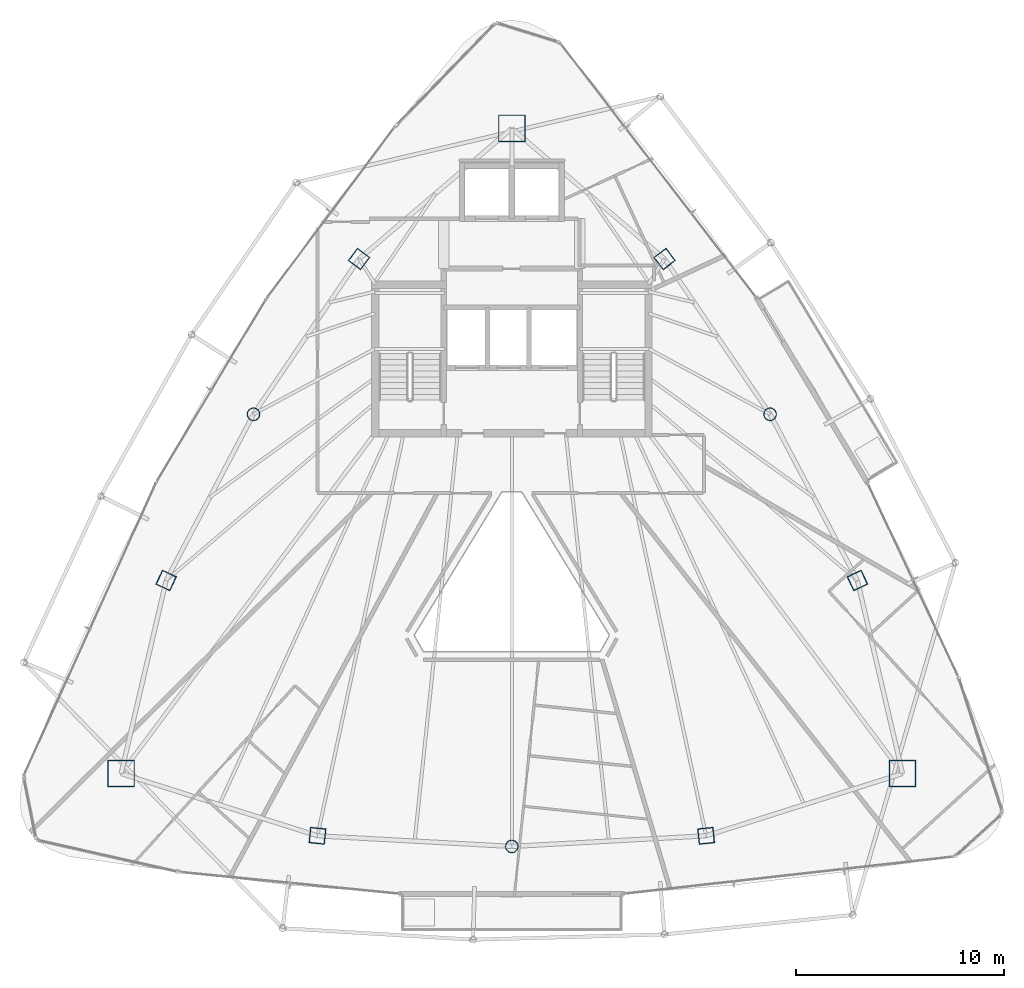
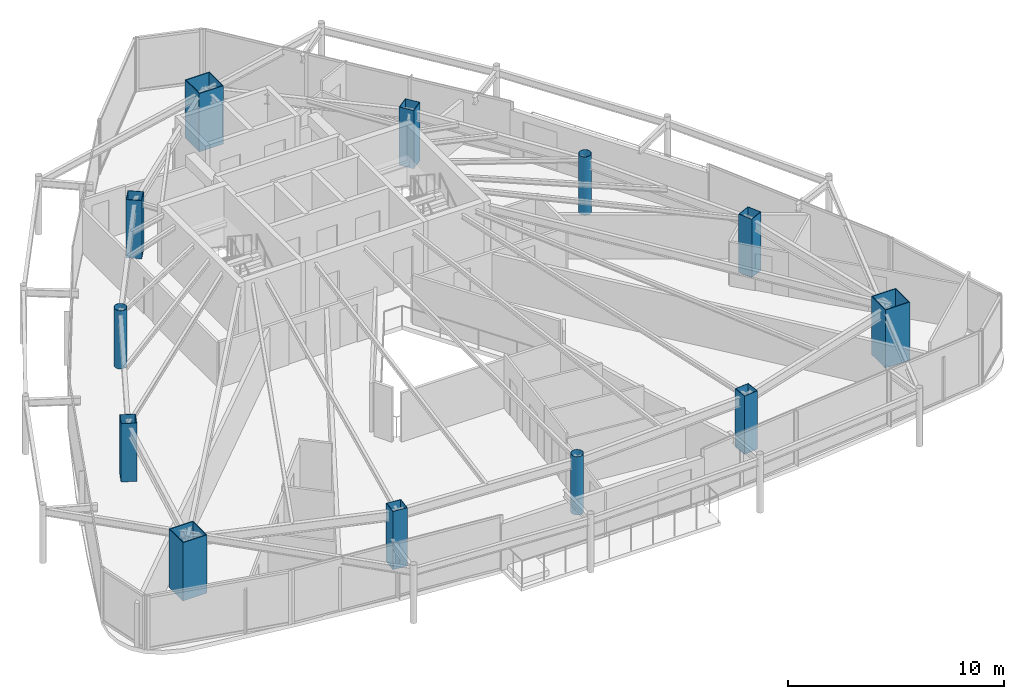
# One storey, part 1 of 34: 12 columns.
"""IFC4 building model written with IfcOpenShell, lengths in metres."""

from ifc_helpers import new_model, si_unit, direction, frame, origin, origin_2d, place, context, subcontext, project, spatial, hollow_rectangle, hollow_circle, extrude, material, material_profile, profile_set, type_object, element, save


model = new_model("IFC4")

# Units and contexts
model_context = context("Model", 3, precision=1e-05, world=origin(), true_north=direction((0.0, 1.0)))
body_context = subcontext(model_context, "Body", "Model", "MODEL_VIEW")
ifc_project = project(units=[si_unit("LENGTHUNIT", "METRE"), si_unit("AREAUNIT", "SQUARE_METRE"), si_unit("VOLUMEUNIT", "CUBIC_METRE"), si_unit("PLANEANGLEUNIT", "RADIAN"), si_unit("MASSUNIT", "GRAM", prefix="KILO")], contexts=[model_context])

# Site, building, storey
site_placement = place(None, origin())
site = spatial("IfcSite", under=ifc_project, at=site_placement, CompositionType="ELEMENT")
building_placement = place(site_placement, origin())
building = spatial("IfcBuilding", under=site, at=building_placement, Name="Orvanel Arch Residences", CompositionType="ELEMENT")
storey_placement = place(building_placement, frame((0.0, 0.0, 199.699951171875)))
storey = spatial("IfcBuildingStorey", under=building, at=storey_placement, Name="L56", CompositionType="ELEMENT", Elevation=199.699951171875)

# Columns
ifc_material_1 = material(Name="Structural steel AS/NZS 1163 C350L0 (Grade 350)", Category="steel")
ifc_material_profile_1 = material_profile(ifc_material_1, hollow_circle(Radius=0.304931640625, WallThickness=0.01611328125, at=origin_2d()), Name="CHS610x16")
ifc_profile_set_1 = profile_set([ifc_material_profile_1], Name="Structural steel AS/NZS 1163 C350L0 (Grade 350)")
column_type_1 = type_object("IfcColumnType", Name="CC-610", PredefinedType="COLUMN", material=ifc_profile_set_1)
for number, where, z_axis, x_axis, name in (
    (1, (20.569091796875, 27.64111328125, 0.0), (0.0, 0.0, 1.0), (1.0, 0.0, 0.0), "L56 High-Rise Tube Column 02"),
    (2, (33.0, 6.843994140625, 0.0), (0.0, 0.0, 1.0), (1.0, 0.0, 0.0), "L56 High-Rise Tube Column 05"),
    (3, (45.430908203125, 27.64111328125, 0.0), (0.0, 0.0, 1.0), (1.0, 0.0, 0.0), "L56 High-Rise Tube Column 08"),
):
    element("IfcColumn", number, at=place(storey_placement, frame(where, z_axis=z_axis, x_axis=x_axis)), inside=storey, type_object=column_type_1, Name=name, PredefinedType="COLUMN", context=body_context, shape_type="SweptSolid", body=[
        extrude(hollow_circle(Radius=0.304931640625, WallThickness=0.01611328125, at=origin_2d()), origin(), (0.0, 0.0, 1.0), 3.300048828125),
    ])
ifc_material_2 = material(Name="Structural steel AS/NZS 3678 Grade 450", Category="steel")
ifc_material_profile_2 = material_profile(ifc_material_2, hollow_rectangle(XDim=1.300048828125, YDim=1.300048828125, WallThickness=0.0400390625, at=origin_2d()), Name="BOX1300x1300x40")
ifc_profile_set_2 = profile_set([ifc_material_profile_2], Name="Structural steel AS/NZS 3678 Grade 450")
column_type_2 = type_object("IfcColumnType", Name="MC-1300", PredefinedType="COLUMN", material=ifc_profile_set_2)
for number, where, z_axis, x_axis, name in (
    (4, (33.0, 41.39794921875, 0.0), (0.0, 0.0, 1.0), (1.0, 0.0, 0.0), "L56 Corner Mega-Column 1"),
    (5, (14.198974609375, 10.35107421875, 0.0), (0.0, 0.0, 1.0), (1.0, 0.0, 0.0), "L56 Corner Mega-Column 2"),
    (6, (51.801025390625, 10.35107421875, 0.0), (0.0, 0.0, 1.0), (1.0, 0.0, 0.0), "L56 Corner Mega-Column 3"),
):
    element("IfcColumn", number, at=place(storey_placement, frame(where, z_axis=z_axis, x_axis=x_axis)), inside=storey, type_object=column_type_2, Name=name, PredefinedType="COLUMN", context=body_context, shape_type="SweptSolid", body=[
        extrude(hollow_rectangle(XDim=1.300048828125, YDim=1.300048828125, WallThickness=0.0400390625, at=origin_2d()), origin(), (0.0, 0.0, 1.0), 3.300048828125),
    ])
ifc_material_3 = material(Name="Structural steel AS/NZS 3678 Grade 350", Category="steel")
ifc_material_profile_3 = material_profile(ifc_material_3, hollow_rectangle(XDim=0.75, YDim=0.75, WallThickness=0.02490234375, at=origin_2d()), Name="BOX750x750x25")
ifc_profile_set_3 = profile_set([ifc_material_profile_3], Name="Structural steel AS/NZS 3678 Grade 350")
column_type_3 = type_object("IfcColumnType", Name="TC-750", PredefinedType="COLUMN", material=ifc_profile_set_3)
for number, where, z_axis, x_axis, name in (
    (7, (25.64794921875, 35.113037109375, 0.0), (0.0, 0.0, 1.0), (0.600420225326, 0.799684658487, 0.0), "L56 High-Rise Tube Column 01"),
    (8, (16.366943359375, 19.64208984375, 0.0), (0.0, 0.0, 1.0), (0.422618261741, 0.906307787037, 0.0), "L56 High-Rise Tube Column 03"),
    (9, (23.64892578125, 7.35498046875, 0.0), (0.0, 0.0, 1.0), (-0.994880708829, 0.101056297183, 0.0), "L56 High-Rise Tube Column 04"),
    (10, (42.35107421875, 7.35498046875, 0.0), (0.0, 0.0, 1.0), (0.994880708829, 0.101056297183, 0.0), "L56 High-Rise Tube Column 06"),
    (11, (49.633056640625, 19.64208984375, 0.0), (0.0, 0.0, 1.0), (-0.422618261741, 0.906307787037, 0.0), "L56 High-Rise Tube Column 07"),
    (12, (40.35205078125, 35.113037109375, 0.0), (0.0, 0.0, 1.0), (-0.600420225326, 0.799684658487, 0.0), "L56 High-Rise Tube Column 09"),
):
    element("IfcColumn", number, at=place(storey_placement, frame(where, z_axis=z_axis, x_axis=x_axis)), inside=storey, type_object=column_type_3, Name=name, PredefinedType="COLUMN", context=body_context, shape_type="SweptSolid", body=[
        extrude(hollow_rectangle(XDim=0.75, YDim=0.75, WallThickness=0.02490234375, at=origin_2d()), origin(), (0.0, 0.0, 1.0), 3.300048828125),
    ])

save(model, "model.ifc")
